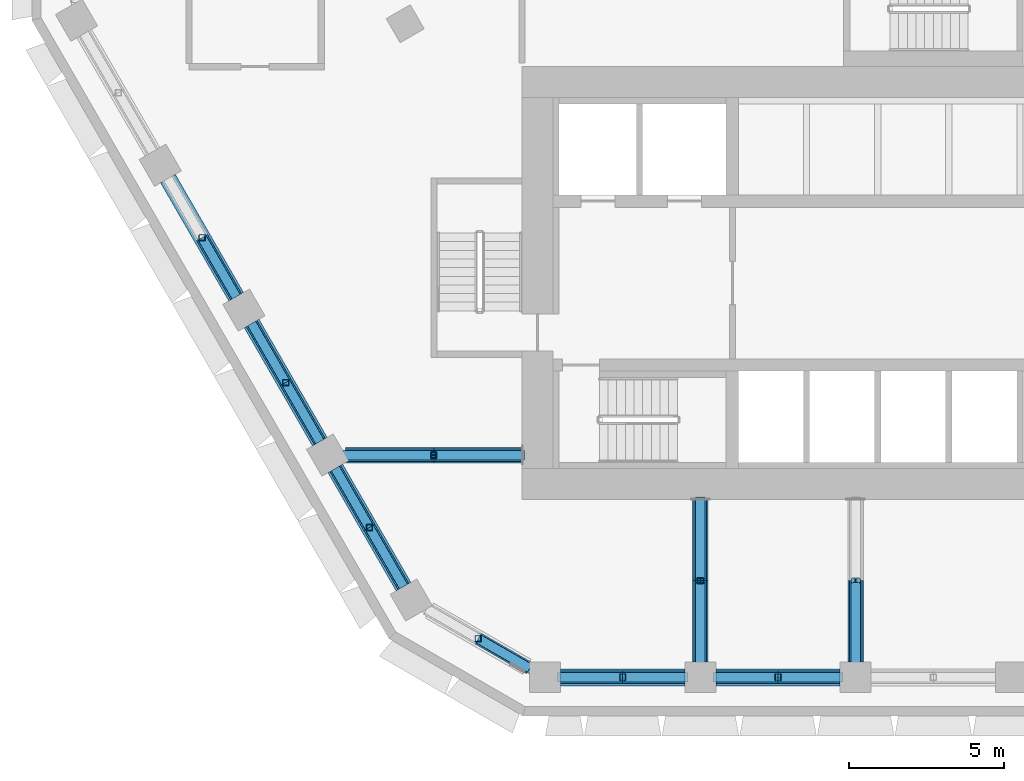
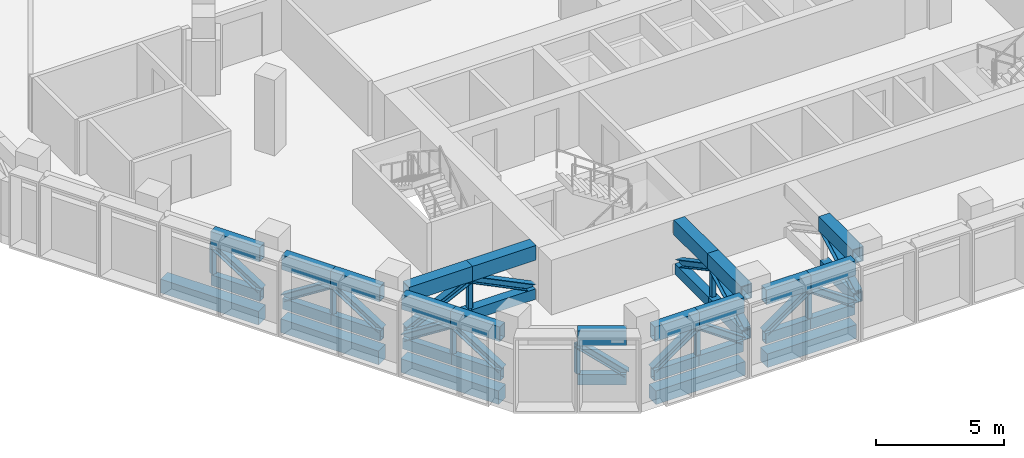
# One storey, part 2 of 23: 53 members, 5 beams.
"""IFC4 building model written with IfcOpenShell, lengths in metres."""

from ifc_helpers import new_model, si_unit, direction, frame, origin, origin_2d, place, context, subcontext, project, spatial, rectangle, hollow_rectangle, i_section, extrude, material, material_profile, profile_set, type_object, element, save


model = new_model("IFC4")

# Units and contexts
model_context = context("Model", 3, precision=1e-05, world=origin(), true_north=direction((0.0, 1.0)))
body_context = subcontext(model_context, "Body", "Model", "MODEL_VIEW")
ifc_project = project(units=[si_unit("LENGTHUNIT", "METRE"), si_unit("AREAUNIT", "SQUARE_METRE"), si_unit("VOLUMEUNIT", "CUBIC_METRE"), si_unit("PLANEANGLEUNIT", "RADIAN"), si_unit("MASSUNIT", "GRAM", prefix="KILO")], contexts=[model_context])

# Site, building, storey
site_placement = place(None, origin())
site = spatial("IfcSite", under=ifc_project, at=site_placement, CompositionType="ELEMENT")
building_placement = place(site_placement, origin())
building = spatial("IfcBuilding", under=site, at=building_placement, Name="Beryl Residences", CompositionType="ELEMENT")
storey_placement = place(building_placement, frame((0.0, 0.0, 108.0)))
storey = spatial("IfcBuildingStorey", under=building, at=storey_placement, Name="L33", CompositionType="ELEMENT", Elevation=108.0)

# Members
ifc_material_1 = material(Name="Steel S355", Category="steel")
ifc_material_profile_1 = material_profile(ifc_material_1, hollow_rectangle(XDim=0.300048828125, YDim=0.5, WallThickness=0.02490234375, at=origin_2d()))
ifc_profile_set_1 = profile_set([ifc_material_profile_1], Name="Steel S355")
member_type_1 = type_object("IfcMemberType", Name="BB2 belt truss bottom chord WB 500x300x25", PredefinedType="CHORD", material=ifc_profile_set_1)
member_1_placement = place(storey_placement, frame((-23.654052734375, -10.531005859375, 0.25), z_axis=(0.500255480495, -0.865877851798, 0.0), x_axis=(0.865877851798, 0.500255480495, 0.0)))
element("IfcMember", 1, at=member_1_placement, inside=storey, type_object=member_type_1, Name="Outrigger truss BB2-SW-1b L33", PredefinedType="CHORD", context=body_context, shape_type="SweptSolid", body=[
    extrude(hollow_rectangle(XDim=0.300048828125, YDim=0.5, WallThickness=0.02490234375, at=origin_2d()), origin(), (0.0, 0.0, 1.0), 2.206787109375),
])
for number, where, z_axis, x_axis, name in (
    (2, (-22.050048828125, -13.30810546875, 0.25), (0.49992360228, -0.866069507536, 0.0), (0.866069507536, 0.49992360228, 0.0), "Outrigger truss BB2-SW-2a L33"),
    (3, (-20.947021484375, -15.218994140625, 0.25), (0.49992360228, -0.866069507536, 0.0), (0.866069507536, 0.49992360228, 0.0), "Outrigger truss BB2-SW-2b L33"),
    (4, (-19.343994140625, -17.99609375, 0.25), (0.49992360228, -0.866069507536, 0.0), (0.866069507536, 0.49992360228, 0.0), "Outrigger truss BB2-SW-3a L33"),
):
    element("IfcMember", number, at=place(storey_placement, frame(where, z_axis=z_axis, x_axis=x_axis)), inside=storey, type_object=member_type_1, Name=name, PredefinedType="CHORD", context=body_context, shape_type="SweptSolid", body=[
        extrude(hollow_rectangle(XDim=0.300048828125, YDim=0.5, WallThickness=0.02490234375, at=origin_2d()), origin(), (0.0, 0.0, 1.0), 2.206298828125),
    ])
member_2_placement = place(storey_placement, frame((-18.240966796875, -19.906982421875, 0.25), z_axis=(0.500207565094, -0.865905532852, 0.0), x_axis=(0.865905532852, 0.500207565094, 0.0)))
element("IfcMember", 5, at=member_2_placement, inside=storey, type_object=member_type_1, Name="Outrigger truss BB2-SW-3b L33", PredefinedType="CHORD", context=body_context, shape_type="SweptSolid", body=[
    extrude(hollow_rectangle(XDim=0.300048828125, YDim=0.5, WallThickness=0.02490234375, at=origin_2d()), origin(), (0.0, 0.0, 1.0), 2.20703125),
])
member_3_placement = place(storey_placement, frame((-14.721923828125, -23.5009765625, 0.25), z_axis=(0.8663293552, -0.499473170769, 0.0), x_axis=(0.499473170769, 0.8663293552, 0.0)))
element("IfcMember", 6, at=member_3_placement, inside=storey, type_object=member_type_1, Name="Outrigger truss BB2-SW-4b L33", PredefinedType="CHORD", context=body_context, shape_type="SweptSolid", body=[
    extrude(hollow_rectangle(XDim=0.300048828125, YDim=0.5, WallThickness=0.02490234375, at=origin_2d()), origin(), (0.0, 0.0, 1.0), 1.921875),
])
member_4_placement = place(storey_placement, frame((-12.056884765625, -24.75, 0.25), z_axis=(1.0, 0.0, 0.0), x_axis=(0.0, 1.0, 0.0)))
element("IfcMember", 7, at=member_4_placement, inside=storey, type_object=member_type_1, Name="Outrigger truss BB2-S-0a L33", PredefinedType="CHORD", context=body_context, shape_type="SweptSolid", body=[
    extrude(hollow_rectangle(XDim=0.300048828125, YDim=0.5, WallThickness=0.02490234375, at=origin_2d()), origin(), (0.0, 0.0, 1.0), 2.010986328125),
])
for number, where, z_axis, x_axis, name in (
    (8, (-10.0458984375, -24.75, 0.25), (1.0, 0.0, 0.0), (0.0, 1.0, 0.0), "Outrigger truss BB2-S-0b L33"),
    (9, (-7.033935546875, -24.75, 0.25), (1.0, 0.0, 0.0), (0.0, 1.0, 0.0), "Outrigger truss BB2-S-1a L33"),
):
    element("IfcMember", number, at=place(storey_placement, frame(where, z_axis=z_axis, x_axis=x_axis)), inside=storey, type_object=member_type_1, Name=name, PredefinedType="CHORD", context=body_context, shape_type="SweptSolid", body=[
        extrude(hollow_rectangle(XDim=0.300048828125, YDim=0.5, WallThickness=0.02490234375, at=origin_2d()), origin(), (0.0, 0.0, 1.0), 2.011962890625),
    ])
member_5_placement = place(storey_placement, frame((-5.02197265625, -24.75, 0.25), z_axis=(1.0, 0.0, 0.0), x_axis=(0.0, 1.0, 0.0)))
element("IfcMember", 10, at=member_5_placement, inside=storey, type_object=member_type_1, Name="Outrigger truss BB2-S-1b L33", PredefinedType="CHORD", context=body_context, shape_type="SweptSolid", body=[
    extrude(hollow_rectangle(XDim=0.300048828125, YDim=0.5, WallThickness=0.02490234375, at=origin_2d()), origin(), (0.0, 0.0, 1.0), 2.010986328125),
])
ifc_material_2 = material(Name="Steel S355", Category="steel")
ifc_material_profile_2 = material_profile(ifc_material_2, i_section(OverallWidth=0.30908203125, OverallDepth=0.320068359375, WebThickness=0.013916015625, FlangeThickness=0.021728515625, FilletRadius=0.0166015625, at=origin_2d()))
ifc_profile_set_2 = profile_set([ifc_material_profile_2], Name="Steel S355")
member_type_2 = type_object("IfcMemberType", Name="BD2 belt truss diagonal 310UC137", PredefinedType="BRACE", material=ifc_profile_set_2)
member_6_placement = place(storey_placement, frame((-22.550048828125, -12.44189453125, 0.5), z_axis=(-0.422433910032, 0.731178729284, 0.535655913341), x_axis=(-0.865877851798, -0.500255480495, 0.0)))
element("IfcMember", 11, at=member_6_placement, inside=storey, type_object=member_type_2, Name="Outrigger truss BD2-SW-1b L33", PredefinedType="BRACE", context=body_context, shape_type="SweptSolid", body=[
    extrude(i_section(OverallWidth=0.30908203125, OverallDepth=0.320068359375, WebThickness=0.013916015625, FlangeThickness=0.021728515625, FilletRadius=0.0166015625, at=origin_2d()), origin(), (0.0, 0.0, 1.0), 2.613525390625),
])
for number, where, z_axis, x_axis, name in (
    (12, (-22.050048828125, -13.30810546875, 0.5), (0.422126848929, -0.731294122747, 0.535740449704), (0.866069507536, 0.49992360228, 0.0), "Outrigger truss BD2-SW-2a L33"),
    (13, (-19.843994140625, -17.1298828125, 0.5), (-0.422126848929, 0.731294122747, 0.535740449704), (-0.866069507536, -0.49992360228, 0.0), "Outrigger truss BD2-SW-2b L33"),
    (14, (-19.343994140625, -17.99609375, 0.5), (0.422126848929, -0.731294122747, 0.535740449704), (0.866069507536, 0.49992360228, 0.0), "Outrigger truss BD2-SW-3a L33"),
):
    element("IfcMember", number, at=place(storey_placement, frame(where, z_axis=z_axis, x_axis=x_axis)), inside=storey, type_object=member_type_2, Name=name, PredefinedType="BRACE", context=body_context, shape_type="SweptSolid", body=[
        extrude(i_section(OverallWidth=0.30908203125, OverallDepth=0.320068359375, WebThickness=0.013916015625, FlangeThickness=0.021728515625, FilletRadius=0.0166015625, at=origin_2d()), origin(), (0.0, 0.0, 1.0), 2.613037109375),
    ])
member_7_placement = place(storey_placement, frame((-17.136962890625, -21.818115234375, 0.5), z_axis=(-0.422405056846, 0.731222199246, 0.535619326837), x_axis=(-0.865905532852, -0.500207565094, 0.0)))
element("IfcMember", 15, at=member_7_placement, inside=storey, type_object=member_type_2, Name="Outrigger truss BD2-SW-3b L33", PredefinedType="BRACE", context=body_context, shape_type="SweptSolid", body=[
    extrude(i_section(OverallWidth=0.30908203125, OverallDepth=0.320068359375, WebThickness=0.013916015625, FlangeThickness=0.021728515625, FilletRadius=0.0166015625, at=origin_2d()), origin(), (0.0, 0.0, 1.0), 2.613525390625),
])
member_8_placement = place(storey_placement, frame((-13.056884765625, -24.4609375, 0.5), z_axis=(-0.700263728787, 0.403729762696, 0.588755457604), x_axis=(-0.499473170769, -0.8663293552, 0.0)))
element("IfcMember", 16, at=member_8_placement, inside=storey, type_object=member_type_2, Name="Outrigger truss BD2-SW-4b L33", PredefinedType="BRACE", context=body_context, shape_type="SweptSolid", body=[
    extrude(i_section(OverallWidth=0.30908203125, OverallDepth=0.320068359375, WebThickness=0.013916015625, FlangeThickness=0.021728515625, FilletRadius=0.0166015625, at=origin_2d()), origin(), (0.0, 0.0, 1.0), 2.377685546875),
])
member_9_placement = place(storey_placement, frame((-12.056884765625, -24.75, 0.5), z_axis=(0.820722383369, 0.0, 0.57132719998), x_axis=(0.0, 1.0, 0.0)))
element("IfcMember", 17, at=member_9_placement, inside=storey, type_object=member_type_2, Name="Outrigger truss BD2-S-0a L33", PredefinedType="BRACE", context=body_context, shape_type="SweptSolid", body=[
    extrude(i_section(OverallWidth=0.30908203125, OverallDepth=0.320068359375, WebThickness=0.013916015625, FlangeThickness=0.021728515625, FilletRadius=0.0166015625, at=origin_2d()), origin(), (0.0, 0.0, 1.0), 2.4501953125),
])
for number, where, z_axis, x_axis, name in (
    (18, (-8.033935546875, -24.75, 0.5), (-0.820852413484, 0.0, 0.571140363902), (0.0, -1.0, 0.0), "Outrigger truss BD2-S-0b L33"),
    (19, (-7.033935546875, -24.75, 0.5), (0.820852413484, 0.0, 0.571140363902), (0.0, 1.0, 0.0), "Outrigger truss BD2-S-1a L33"),
):
    element("IfcMember", number, at=place(storey_placement, frame(where, z_axis=z_axis, x_axis=x_axis)), inside=storey, type_object=member_type_2, Name=name, PredefinedType="BRACE", context=body_context, shape_type="SweptSolid", body=[
        extrude(i_section(OverallWidth=0.30908203125, OverallDepth=0.320068359375, WebThickness=0.013916015625, FlangeThickness=0.021728515625, FilletRadius=0.0166015625, at=origin_2d()), origin(), (0.0, 0.0, 1.0), 2.451171875),
    ])
member_10_placement = place(storey_placement, frame((-3.010986328125, -24.75, 0.5), z_axis=(-0.820722383369, 0.0, 0.57132719998), x_axis=(0.0, -1.0, 0.0)))
element("IfcMember", 20, at=member_10_placement, inside=storey, type_object=member_type_2, Name="Outrigger truss BD2-S-1b L33", PredefinedType="BRACE", context=body_context, shape_type="SweptSolid", body=[
    extrude(i_section(OverallWidth=0.30908203125, OverallDepth=0.320068359375, WebThickness=0.013916015625, FlangeThickness=0.021728515625, FilletRadius=0.0166015625, at=origin_2d()), origin(), (0.0, 0.0, 1.0), 2.4501953125),
])
member_11_placement = place(storey_placement, frame((-19.01708984375, -17.56298828125, 0.5), z_axis=(0.898123289399, 0.0, 0.439743740194), x_axis=(0.0, 1.0, 0.0)))
element("IfcMember", 21, at=member_11_placement, inside=storey, type_object=member_type_2, Name="Outrigger truss BD2-OR-SW-3a L33", PredefinedType="BRACE", context=body_context, shape_type="SweptSolid", body=[
    extrude(i_section(OverallWidth=0.30908203125, OverallDepth=0.320068359375, WebThickness=0.013916015625, FlangeThickness=0.021728515625, FilletRadius=0.0166015625, at=origin_2d()), origin(), (0.0, 0.0, 1.0), 3.183349609375),
])
member_12_placement = place(storey_placement, frame((-13.300048828125, -17.56298828125, 0.5), z_axis=(-0.898049101051, 0.0, 0.439895228551), x_axis=(0.0, -1.0, 0.0)))
element("IfcMember", 22, at=member_12_placement, inside=storey, type_object=member_type_2, Name="Outrigger truss BD2-OR-SW-3b L33", PredefinedType="BRACE", context=body_context, shape_type="SweptSolid", body=[
    extrude(i_section(OverallWidth=0.30908203125, OverallDepth=0.320068359375, WebThickness=0.013916015625, FlangeThickness=0.021728515625, FilletRadius=0.0166015625, at=origin_2d()), origin(), (0.0, 0.0, 1.0), 3.182373046875),
])
for number, where, z_axis, x_axis, name in (
    (23, (-7.533935546875, -24.25, 0.5), (0.0, 0.882366571036, 0.470562678415), (-1.0, 0.0, 0.0), "Outrigger truss BD2-OR-S-1a L33"),
    (24, (-7.533935546875, -19.0, 0.5), (0.0, -0.882366571036, 0.470562678415), (1.0, 0.0, 0.0), "Outrigger truss BD2-OR-S-1b L33"),
    (25, (-2.510986328125, -24.25, 0.5), (0.0, 0.882366571036, 0.470562678415), (-1.0, 0.0, 0.0), "Outrigger truss BD2-OR-S-2a L33"),
):
    element("IfcMember", number, at=place(storey_placement, frame(where, z_axis=z_axis, x_axis=x_axis)), inside=storey, type_object=member_type_2, Name=name, PredefinedType="BRACE", context=body_context, shape_type="SweptSolid", body=[
        extrude(i_section(OverallWidth=0.30908203125, OverallDepth=0.320068359375, WebThickness=0.013916015625, FlangeThickness=0.021728515625, FilletRadius=0.0166015625, at=origin_2d()), origin(), (0.0, 0.0, 1.0), 2.974853515625),
    ])
ifc_material_3 = material(Name="Steel S355", Category="steel")
ifc_material_profile_3 = material_profile(ifc_material_3, hollow_rectangle(XDim=0.199951171875, YDim=0.199951171875, WallThickness=0.009033203125, InnerFilletRadius=0.009033203125, OuterFilletRadius=0.01806640625, at=origin_2d()))
ifc_profile_set_3 = profile_set([ifc_material_profile_3], Name="Steel S355")
member_type_3 = type_object("IfcMemberType", Name="BQ2 belt truss post SHS 200x200x9", PredefinedType="POST", material=ifc_profile_set_3)
for number, where, z_axis, x_axis, name in (
    (26, (-23.654052734375, -10.531005859375, 0.5), (0.0, 0.0, 1.0), (1.0, 0.0, 0.0), "Outrigger truss BQ2-SW-1 L33"),
    (27, (-20.947021484375, -15.218994140625, 0.5), (0.0, 0.0, 1.0), (1.0, 0.0, 0.0), "Outrigger truss BQ2-SW-2 L33"),
    (28, (-18.240966796875, -19.906982421875, 0.5), (0.0, 0.0, 1.0), (1.0, 0.0, 0.0), "Outrigger truss BQ2-SW-3 L33"),
    (29, (-14.721923828125, -23.5009765625, 0.5), (0.0, 0.0, 1.0), (1.0, 0.0, 0.0), "Outrigger truss BQ2-SW-4 L33"),
    (30, (-10.0458984375, -24.75, 0.5), (0.0, 0.0, 1.0), (1.0, 0.0, 0.0), "Outrigger truss BQ2-S-0 L33"),
    (31, (-5.02197265625, -24.75, 0.5), (0.0, 0.0, 1.0), (1.0, 0.0, 0.0), "Outrigger truss BQ2-S-1 L33"),
    (32, (-16.157958984375, -17.56298828125, 0.5), (0.0, 0.0, 1.0), (1.0, 0.0, 0.0), "Outrigger truss BQ2-OR-SW-3 L33"),
    (33, (-7.533935546875, -21.625, 0.5), (0.0, 0.0, 1.0), (1.0, 0.0, 0.0), "Outrigger truss BQ2-OR-S-1 L33"),
):
    element("IfcMember", number, at=place(storey_placement, frame(where, z_axis=z_axis, x_axis=x_axis)), inside=storey, type_object=member_type_3, Name=name, PredefinedType="POST", context=body_context, shape_type="SweptSolid", body=[
        extrude(hollow_rectangle(XDim=0.199951171875, YDim=0.199951171875, WallThickness=0.009033203125, InnerFilletRadius=0.009033203125, OuterFilletRadius=0.01806640625, at=origin_2d()), origin(), (0.0, 0.0, 1.0), 1.39990234375),
    ])
ifc_material_4 = material(Name="Steel S355", Category="steel")
ifc_material_profile_4 = material_profile(ifc_material_4, hollow_rectangle(XDim=0.39990234375, YDim=0.699951171875, WallThickness=0.030029296875, at=origin_2d()))
ifc_profile_set_4 = profile_set([ifc_material_profile_4], Name="Steel S355")
member_type_4 = type_object("IfcMemberType", Name="BT2 belt truss top chord WB 700x400x30", PredefinedType="CHORD", material=ifc_profile_set_4)
member_13_placement = place(storey_placement, frame((-23.654052734375, -10.531005859375, 2.25), z_axis=(0.500255480495, -0.865877851798, 0.0), x_axis=(0.865877851798, 0.500255480495, 0.0)))
element("IfcMember", 34, at=member_13_placement, inside=storey, type_object=member_type_4, Name="Outrigger truss BT2-SW-1b L33", PredefinedType="CHORD", context=body_context, shape_type="SweptSolid", body=[
    extrude(hollow_rectangle(XDim=0.39990234375, YDim=0.699951171875, WallThickness=0.030029296875, at=origin_2d()), origin(), (0.0, 0.0, 1.0), 2.206787109375),
])
for number, where, z_axis, x_axis, name in (
    (35, (-22.050048828125, -13.30810546875, 2.25), (0.49992360228, -0.866069507536, 0.0), (0.866069507536, 0.49992360228, 0.0), "Outrigger truss BT2-SW-2a L33"),
    (36, (-20.947021484375, -15.218994140625, 2.25), (0.49992360228, -0.866069507536, 0.0), (0.866069507536, 0.49992360228, 0.0), "Outrigger truss BT2-SW-2b L33"),
    (37, (-19.343994140625, -17.99609375, 2.25), (0.49992360228, -0.866069507536, 0.0), (0.866069507536, 0.49992360228, 0.0), "Outrigger truss BT2-SW-3a L33"),
):
    element("IfcMember", number, at=place(storey_placement, frame(where, z_axis=z_axis, x_axis=x_axis)), inside=storey, type_object=member_type_4, Name=name, PredefinedType="CHORD", context=body_context, shape_type="SweptSolid", body=[
        extrude(hollow_rectangle(XDim=0.39990234375, YDim=0.699951171875, WallThickness=0.030029296875, at=origin_2d()), origin(), (0.0, 0.0, 1.0), 2.206298828125),
    ])
member_14_placement = place(storey_placement, frame((-18.240966796875, -19.906982421875, 2.25), z_axis=(0.500207565094, -0.865905532852, 0.0), x_axis=(0.865905532852, 0.500207565094, 0.0)))
element("IfcMember", 38, at=member_14_placement, inside=storey, type_object=member_type_4, Name="Outrigger truss BT2-SW-3b L33", PredefinedType="CHORD", context=body_context, shape_type="SweptSolid", body=[
    extrude(hollow_rectangle(XDim=0.39990234375, YDim=0.699951171875, WallThickness=0.030029296875, at=origin_2d()), origin(), (0.0, 0.0, 1.0), 2.20703125),
])
member_15_placement = place(storey_placement, frame((-14.721923828125, -23.5009765625, 2.25), z_axis=(0.8663293552, -0.499473170769, 0.0), x_axis=(0.499473170769, 0.8663293552, 0.0)))
element("IfcMember", 39, at=member_15_placement, inside=storey, type_object=member_type_4, Name="Outrigger truss BT2-SW-4b L33", PredefinedType="CHORD", context=body_context, shape_type="SweptSolid", body=[
    extrude(hollow_rectangle(XDim=0.39990234375, YDim=0.699951171875, WallThickness=0.030029296875, at=origin_2d()), origin(), (0.0, 0.0, 1.0), 1.921875),
])
member_16_placement = place(storey_placement, frame((-12.056884765625, -24.75, 2.25), z_axis=(1.0, 0.0, 0.0), x_axis=(0.0, 1.0, 0.0)))
element("IfcMember", 40, at=member_16_placement, inside=storey, type_object=member_type_4, Name="Outrigger truss BT2-S-0a L33", PredefinedType="CHORD", context=body_context, shape_type="SweptSolid", body=[
    extrude(hollow_rectangle(XDim=0.39990234375, YDim=0.699951171875, WallThickness=0.030029296875, at=origin_2d()), origin(), (0.0, 0.0, 1.0), 2.010986328125),
])
for number, where, z_axis, x_axis, name in (
    (41, (-10.0458984375, -24.75, 2.25), (1.0, 0.0, 0.0), (0.0, 1.0, 0.0), "Outrigger truss BT2-S-0b L33"),
    (42, (-7.033935546875, -24.75, 2.25), (1.0, 0.0, 0.0), (0.0, 1.0, 0.0), "Outrigger truss BT2-S-1a L33"),
):
    element("IfcMember", number, at=place(storey_placement, frame(where, z_axis=z_axis, x_axis=x_axis)), inside=storey, type_object=member_type_4, Name=name, PredefinedType="CHORD", context=body_context, shape_type="SweptSolid", body=[
        extrude(hollow_rectangle(XDim=0.39990234375, YDim=0.699951171875, WallThickness=0.030029296875, at=origin_2d()), origin(), (0.0, 0.0, 1.0), 2.011962890625),
    ])
member_17_placement = place(storey_placement, frame((-5.02197265625, -24.75, 2.25), z_axis=(1.0, 0.0, 0.0), x_axis=(0.0, 1.0, 0.0)))
element("IfcMember", 43, at=member_17_placement, inside=storey, type_object=member_type_4, Name="Outrigger truss BT2-S-1b L33", PredefinedType="CHORD", context=body_context, shape_type="SweptSolid", body=[
    extrude(hollow_rectangle(XDim=0.39990234375, YDim=0.699951171875, WallThickness=0.030029296875, at=origin_2d()), origin(), (0.0, 0.0, 1.0), 2.010986328125),
])
ifc_material_5 = material(Name="Steel S355", Category="steel")
ifc_material_profile_5 = material_profile(ifc_material_5, hollow_rectangle(XDim=0.39990234375, YDim=0.5, WallThickness=0.030029296875, at=origin_2d()))
ifc_profile_set_5 = profile_set([ifc_material_profile_5], Name="Steel S355")
member_type_5 = type_object("IfcMemberType", Name="OB1 outrigger truss bottom chord WB 500x400x30", PredefinedType="CHORD", material=ifc_profile_set_5)
member_18_placement = place(storey_placement, frame((-19.01708984375, -17.56298828125, 0.25), z_axis=(1.0, 0.0, 0.0), x_axis=(0.0, 1.0, 0.0)))
element("IfcMember", 44, at=member_18_placement, inside=storey, type_object=member_type_5, Name="Outrigger truss OB1-OR-SW-3a L33", PredefinedType="CHORD", context=body_context, shape_type="SweptSolid", body=[
    extrude(hollow_rectangle(XDim=0.39990234375, YDim=0.5, WallThickness=0.030029296875, at=origin_2d()), origin(), (0.0, 0.0, 1.0), 2.859130859375),
])
member_19_placement = place(storey_placement, frame((-16.157958984375, -17.56298828125, 0.25), z_axis=(1.0, 0.0, 0.0), x_axis=(0.0, 1.0, 0.0)))
element("IfcMember", 45, at=member_19_placement, inside=storey, type_object=member_type_5, Name="Outrigger truss OB1-OR-SW-3b L33", PredefinedType="CHORD", context=body_context, shape_type="SweptSolid", body=[
    extrude(hollow_rectangle(XDim=0.39990234375, YDim=0.5, WallThickness=0.030029296875, at=origin_2d()), origin(), (0.0, 0.0, 1.0), 2.85791015625),
])
for number, where, z_axis, x_axis, name in (
    (46, (-7.533935546875, -24.25, 0.25), (0.0, 1.0, 0.0), (-1.0, 0.0, 0.0), "Outrigger truss OB1-OR-S-1a L33"),
    (47, (-7.533935546875, -21.625, 0.25), (0.0, 1.0, 0.0), (-1.0, 0.0, 0.0), "Outrigger truss OB1-OR-S-1b L33"),
    (48, (-2.510986328125, -24.25, 0.25), (0.0, 1.0, 0.0), (-1.0, 0.0, 0.0), "Outrigger truss OB1-OR-S-2a L33"),
):
    element("IfcMember", number, at=place(storey_placement, frame(where, z_axis=z_axis, x_axis=x_axis)), inside=storey, type_object=member_type_5, Name=name, PredefinedType="CHORD", context=body_context, shape_type="SweptSolid", body=[
        extrude(hollow_rectangle(XDim=0.39990234375, YDim=0.5, WallThickness=0.030029296875, at=origin_2d()), origin(), (0.0, 0.0, 1.0), 2.625),
    ])
ifc_material_6 = material(Name="Steel S355", Category="steel")
ifc_material_profile_6 = material_profile(ifc_material_6, hollow_rectangle(XDim=0.5, YDim=0.699951171875, WallThickness=0.0400390625, at=origin_2d()))
ifc_profile_set_6 = profile_set([ifc_material_profile_6], Name="Steel S355")
member_type_6 = type_object("IfcMemberType", Name="OT1 outrigger truss top chord WB 700x500x40", PredefinedType="CHORD", material=ifc_profile_set_6)
member_20_placement = place(storey_placement, frame((-19.01708984375, -17.56298828125, 2.25), z_axis=(1.0, 0.0, 0.0), x_axis=(0.0, 1.0, 0.0)))
element("IfcMember", 49, at=member_20_placement, inside=storey, type_object=member_type_6, Name="Outrigger truss OT1-OR-SW-3a L33", PredefinedType="CHORD", context=body_context, shape_type="SweptSolid", body=[
    extrude(hollow_rectangle(XDim=0.5, YDim=0.699951171875, WallThickness=0.0400390625, at=origin_2d()), origin(), (0.0, 0.0, 1.0), 2.859130859375),
])
member_21_placement = place(storey_placement, frame((-16.157958984375, -17.56298828125, 2.25), z_axis=(1.0, 0.0, 0.0), x_axis=(0.0, 1.0, 0.0)))
element("IfcMember", 50, at=member_21_placement, inside=storey, type_object=member_type_6, Name="Outrigger truss OT1-OR-SW-3b L33", PredefinedType="CHORD", context=body_context, shape_type="SweptSolid", body=[
    extrude(hollow_rectangle(XDim=0.5, YDim=0.699951171875, WallThickness=0.0400390625, at=origin_2d()), origin(), (0.0, 0.0, 1.0), 2.85791015625),
])
for number, where, z_axis, x_axis, name in (
    (51, (-7.533935546875, -24.25, 2.25), (0.0, 1.0, 0.0), (-1.0, 0.0, 0.0), "Outrigger truss OT1-OR-S-1a L33"),
    (52, (-7.533935546875, -21.625, 2.25), (0.0, 1.0, 0.0), (-1.0, 0.0, 0.0), "Outrigger truss OT1-OR-S-1b L33"),
    (53, (-2.510986328125, -24.25, 2.25), (0.0, 1.0, 0.0), (-1.0, 0.0, 0.0), "Outrigger truss OT1-OR-S-2a L33"),
):
    element("IfcMember", number, at=place(storey_placement, frame(where, z_axis=z_axis, x_axis=x_axis)), inside=storey, type_object=member_type_6, Name=name, PredefinedType="CHORD", context=body_context, shape_type="SweptSolid", body=[
        extrude(hollow_rectangle(XDim=0.5, YDim=0.699951171875, WallThickness=0.0400390625, at=origin_2d()), origin(), (0.0, 0.0, 1.0), 2.625),
    ])

# Beams
ifc_material_7 = material(Name="Concrete C70/85", Category="concrete")
ifc_material_profile_7 = material_profile(ifc_material_7, rectangle(XDim=0.550048828125, YDim=0.64990234375, at=origin_2d()))
ifc_profile_set_7 = profile_set([ifc_material_profile_7], Name="Concrete C70/85")
beam_type = type_object("IfcBeamType", Name="SB2 spandrel beam 550 x 650 C70/85", PredefinedType="SPANDREL", material=ifc_profile_set_7)
beam_1_placement = place(storey_placement, frame((-24.757080078125, -8.6201171875, -0.72509765625), z_axis=(0.500089568931, -0.865973684962, 0.0), x_axis=(0.865973684962, 0.500089568931, 0.0)))
element("IfcBeam", 54, at=beam_1_placement, inside=storey, type_object=beam_type, Name="SB2 L33 SW-1", PredefinedType="SPANDREL", context=body_context, shape_type="SweptSolid", body=[
    extrude(rectangle(XDim=0.550048828125, YDim=0.64990234375, at=origin_2d()), origin(), (0.0, 0.0, 1.0), 4.413330078125),
])
beam_2_placement = place(storey_placement, frame((-22.050048828125, -13.30810546875, -0.72509765625), z_axis=(0.49992360228, -0.866069507536, 0.0), x_axis=(0.866069507536, 0.49992360228, 0.0)))
element("IfcBeam", 55, at=beam_2_placement, inside=storey, type_object=beam_type, Name="SB2 L33 SW-2", PredefinedType="SPANDREL", context=body_context, shape_type="SweptSolid", body=[
    extrude(rectangle(XDim=0.550048828125, YDim=0.64990234375, at=origin_2d()), origin(), (0.0, 0.0, 1.0), 4.412841796875),
])
beam_3_placement = place(storey_placement, frame((-19.343994140625, -17.99609375, -0.72509765625), z_axis=(0.50006561292, -0.865987518834, 0.0), x_axis=(0.865987518834, 0.50006561292, 0.0)))
element("IfcBeam", 56, at=beam_3_placement, inside=storey, type_object=beam_type, Name="SB2 L33 SW-3", PredefinedType="SPANDREL", context=body_context, shape_type="SweptSolid", body=[
    extrude(rectangle(XDim=0.550048828125, YDim=0.64990234375, at=origin_2d()), origin(), (0.0, 0.0, 1.0), 4.41357421875),
])
for number, where, z_axis, x_axis, name in (
    (57, (-12.056884765625, -24.75, -0.72509765625), (1.0, 0.0, 0.0), (0.0, 1.0, 0.0), "SB2 L33 S-0"),
    (58, (-7.033935546875, -24.75, -0.72509765625), (1.0, 0.0, 0.0), (0.0, 1.0, 0.0), "SB2 L33 S-1"),
):
    element("IfcBeam", number, at=place(storey_placement, frame(where, z_axis=z_axis, x_axis=x_axis)), inside=storey, type_object=beam_type, Name=name, PredefinedType="SPANDREL", context=body_context, shape_type="SweptSolid", body=[
        extrude(rectangle(XDim=0.550048828125, YDim=0.64990234375, at=origin_2d()), origin(), (0.0, 0.0, 1.0), 4.02294921875),
    ])

save(model, "model.ifc")
